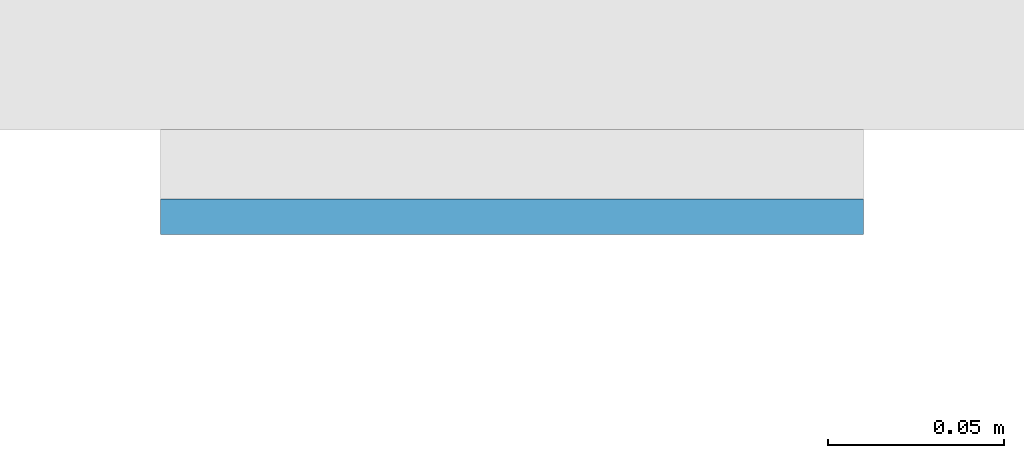
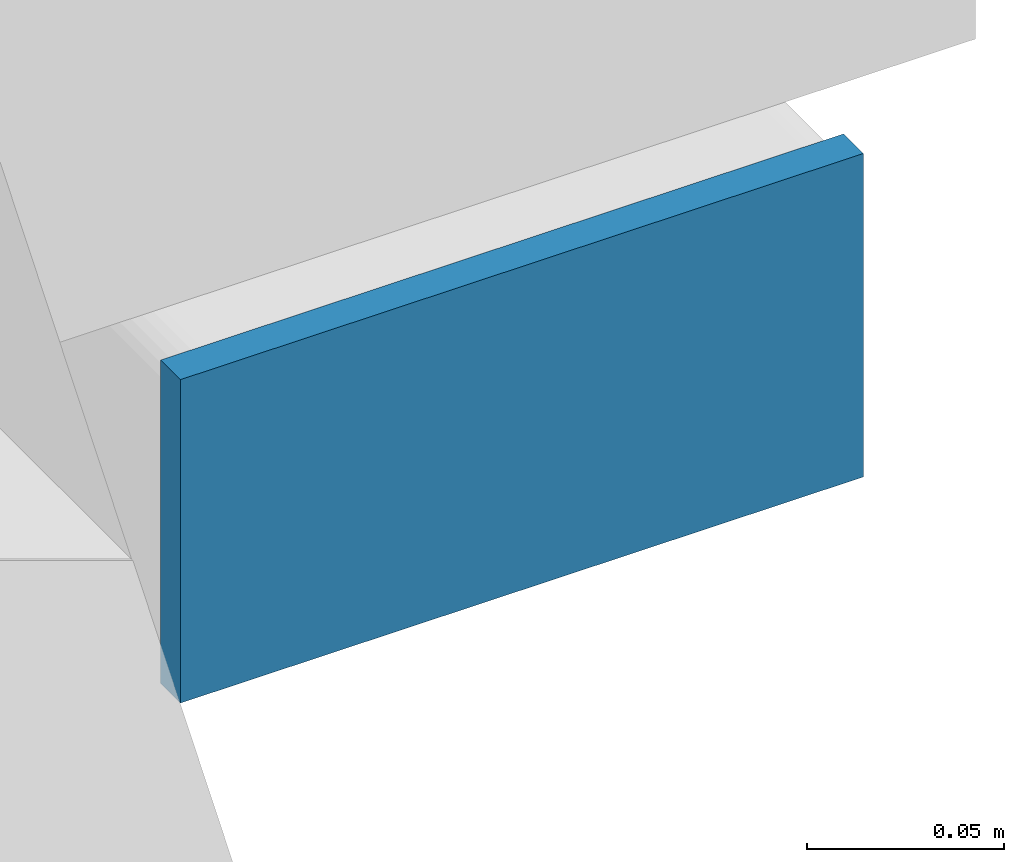
# One storey, part 10 of 20: 1 plate.
"""IFC4 building model written with IfcOpenShell, lengths in metres."""

from ifc_helpers import new_model, si_unit, direction, frame, origin, origin_2d, place, context, subcontext, project, spatial, rectangle, extrude, material, layer, layer_set, type_object, element, save


model = new_model("IFC4")

# Units and contexts
model_context = context("Model", 3, precision=1e-05, world=origin(), true_north=direction((0.0, 1.0)))
body_context = subcontext(model_context, "Body", "Model", "MODEL_VIEW")
ifc_project = project(units=[si_unit("LENGTHUNIT", "METRE"), si_unit("AREAUNIT", "SQUARE_METRE"), si_unit("VOLUMEUNIT", "CUBIC_METRE"), si_unit("PLANEANGLEUNIT", "RADIAN"), si_unit("MASSUNIT", "GRAM", prefix="KILO")], contexts=[model_context])

# Site, building, storey
site_placement = place(None, origin())
site = spatial("IfcSite", under=ifc_project, at=site_placement, CompositionType="ELEMENT")
building_placement = place(site_placement, origin())
building = spatial("IfcBuilding", under=site, at=building_placement, Name="Cleftline Residences", CompositionType="ELEMENT")
storey_placement = place(building_placement, frame((0.0, 0.0, 157.39990234375)))
storey = spatial("IfcBuildingStorey", under=building, at=storey_placement, Name="L41", CompositionType="ELEMENT", Elevation=157.39990234375)

# Plate
ifc_material = material(Name="Steel S355, hot-dip galvanised", Category="steel")
ifc_layer = layer(ifc_material, 0.010009765625)
ifc_layer_set = layer_set([ifc_layer], Name="BAGUETTE CARRIER END PLATE 200X100X10")
plate_type = type_object("IfcPlateType", Name="BAGUETTE CARRIER END PLATE 200X100X10", PredefinedType="USERDEFINED", material=ifc_layer_set)
plate_placement = place(storey_placement, frame((66.85009765625, 3.695068359375, -0.099853515625), z_axis=(0.0, 0.0, 1.0), x_axis=(1.0, 0.0, 0.0)))
element("IfcPlate", 1, at=plate_placement, inside=storey, type_object=plate_type, Name="Baguette carrier end plate", ObjectType="BAGUETTE CARRIER END PLATE", PredefinedType="USERDEFINED", context=body_context, shape_type="SweptSolid", body=[
    extrude(rectangle(XDim=0.199951171875, YDim=0.010009765625, at=origin_2d()), origin(), (0.0, 0.0, 1.0), 0.10009765625),
])

save(model, "model.ifc")
